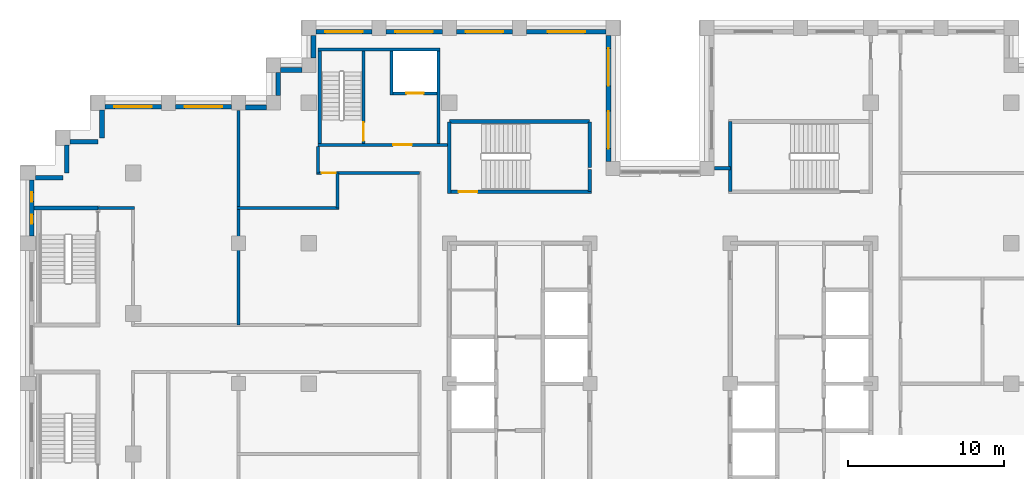
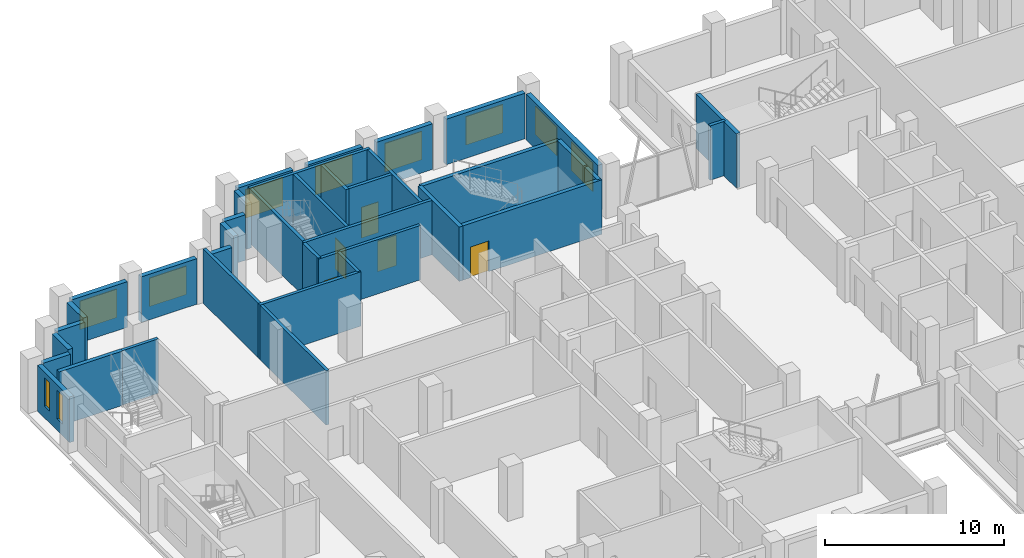
# One storey, part 10 of 15: 37 walls, 10 windows, 5 doors, 15 openings.
"""IFC4 building model written with IfcOpenShell, lengths in metres."""

import ifcopenshell
import ifcopenshell.guid

model = None  # the IFC model being written
_history = None  # IfcOwnerHistory: only IFC2X3 demands one
_inside = {}  # id of a spatial element -> (the spatial element, [elements in it])
_under = {}  # id of a project, library or spatial element -> (it, [spatial elements below it])
_declared = {}  # id of a project -> (the project, [libraries it declares])
_typed = {}  # id of a type object -> (the type object, [elements of that type])
_made_of = {}  # id of a material, layer set ... -> (it, [elements and type objects made of it])


def new_model(schema):
    """Start an empty IFC model of exactly this schema.

    Asked for "IFC4X3", IfcOpenShell would pick the latest addendum, in which some entities
    have other attributes; the version numbers below select the first issue.
    IFC2X3 requires an IfcOwnerHistory on every rooted entity: one is made here for all.
    """
    global model, _history
    if schema == "IFC4X3":
        model = ifcopenshell.file(schema_version=(4, 3, 0, 0))
    else:
        model = ifcopenshell.file(schema=schema)
    _inside.clear()
    _under.clear()
    _declared.clear()
    _typed.clear()
    _made_of.clear()
    _history = None
    if model.schema == "IFC2X3":
        org = make("IfcOrganization", Name="unknown")
        user = make(
            "IfcPersonAndOrganization",
            ThePerson=make("IfcPerson", FamilyName="unknown"),
            TheOrganization=org,
        )
        app = make(
            "IfcApplication",
            ApplicationDeveloper=org,
            Version="unknown",
            ApplicationFullName="unknown",
            ApplicationIdentifier="unknown",
        )
        _history = make(
            "IfcOwnerHistory",
            OwningUser=user,
            OwningApplication=app,
            ChangeAction="ADDED",
            CreationDate=0,
        )
    return model


def make(cls, **values):
    """One entity of the class cls with the attributes given. An attribute that is None is left unset."""
    return model.create_entity(
        cls, **{name: value for name, value in values.items() if value is not None}
    )


def rooted(cls, **values):
    """An entity with a GlobalId (a new one), such as an element, a storey or a relation."""
    return make(cls, GlobalId=ifcopenshell.guid.new(), OwnerHistory=_history, **values)


def si_unit(unit_type, name, prefix=None):
    """IfcSIUnit, for example si_unit("LENGTHUNIT", "METRE", prefix="MILLI")."""
    return make("IfcSIUnit", UnitType=unit_type, Prefix=prefix, Name=name)


def assignment(units):
    """IfcUnitAssignment: the units of a project."""
    return None if units is None else make("IfcUnitAssignment", Units=units)


def point(xyz):
    """IfcCartesianPoint."""
    return None if xyz is None else make("IfcCartesianPoint", Coordinates=xyz)


def direction(xyz):
    """IfcDirection."""
    return None if xyz is None else make("IfcDirection", DirectionRatios=xyz)


def frame(location, z_axis=None, x_axis=None):
    """IfcAxis2Placement3D, a coordinate frame: its origin and axes. An axis left out is left unset."""
    return make(
        "IfcAxis2Placement3D",
        Location=point(location),
        Axis=direction(z_axis),
        RefDirection=direction(x_axis),
    )


def frame_2d(location, x_axis=None):
    """IfcAxis2Placement2D, a coordinate frame in the plane: its origin and x axis."""
    return make(
        "IfcAxis2Placement2D", Location=point(location), RefDirection=direction(x_axis)
    )


def origin():
    """The frame at (0, 0, 0) with its axes left unset."""
    return frame((0.0, 0.0, 0.0))


def place(relative_to, where):
    """IfcLocalPlacement: puts the frame where relative to a parent placement (None: the world)."""
    return make(
        "IfcLocalPlacement", PlacementRelTo=relative_to, RelativePlacement=where
    )


def context(
    kind, dimensions, precision=None, world=None, true_north=None, identifier=None
):
    """IfcGeometricRepresentationContext, for example the 3D "Model" context."""
    return make(
        "IfcGeometricRepresentationContext",
        ContextIdentifier=identifier,
        ContextType=kind,
        CoordinateSpaceDimension=dimensions,
        Precision=precision,
        WorldCoordinateSystem=world,
        TrueNorth=true_north,
    )


def subcontext(parent, identifier, kind, view, scale=None):
    """IfcGeometricRepresentationSubContext, for example "Body" below "Model"."""
    return make(
        "IfcGeometricRepresentationSubContext",
        ContextIdentifier=identifier,
        ContextType=kind,
        ParentContext=parent,
        TargetScale=scale,
        TargetView=view,
    )


def project(units=None, contexts=None):
    """IfcProject with its units and contexts."""
    return rooted(
        "IfcProject",
        Name="project",
        RepresentationContexts=contexts,
        UnitsInContext=assignment(units),
    )


def spatial(cls, under=None, at=None, **own):
    """A site, building, storey or space (cls), placed at a placement, below another one or the project."""
    s = rooted(cls, ObjectPlacement=at, **own)
    if under is not None:
        _under.setdefault(under.id(), (under, []))[1].append(s)
    return s


def profile(cls, at=None, kind="AREA", **sizes):
    """A parametric profile (cls). Its sizes go by their IFC names, for example OverallWidth=200.0."""
    return make(cls, ProfileType=kind, Position=at, **sizes)


def rectangle(**sizes):
    """IfcRectangleProfileDef."""
    return profile("IfcRectangleProfileDef", **sizes)


def extrude(swept, where, along, depth):
    """IfcExtrudedAreaSolid: the profile swept, set in the frame where, extruded along a direction by depth."""
    return make(
        "IfcExtrudedAreaSolid",
        SweptArea=swept,
        Position=where,
        ExtrudedDirection=direction(along),
        Depth=depth,
    )


def shape(context_of_items, identifier, shape_type, items):
    """IfcShapeRepresentation: the items that make up one representation, for example the "Body"."""
    return make(
        "IfcShapeRepresentation",
        ContextOfItems=context_of_items,
        RepresentationIdentifier=identifier,
        RepresentationType=shape_type,
        Items=items,
    )


def material(Name=None, Category=None):
    """IfcMaterial."""
    return make("IfcMaterial", Name=Name, Category=Category)


def layer(
    of_material, thickness, ventilated=None, Name=None, Category=None, Priority=None
):
    """IfcMaterialLayer: one layer of a wall or slab, of a material (None: an air gap)."""
    return make(
        "IfcMaterialLayer",
        Material=of_material,
        LayerThickness=thickness,
        IsVentilated=ventilated,
        Name=Name,
        Category=Category,
        Priority=Priority,
    )


def layer_set(layers, Name=None):
    """IfcMaterialLayerSet."""
    return make("IfcMaterialLayerSet", MaterialLayers=layers, LayerSetName=Name)


def made_of(thing, what):
    """Note that an element or type object is made of a material, layer set ...; save() writes the relation."""
    if what is not None:
        _made_of.setdefault(what.id(), (what, []))[1].append(thing)
    return thing


def type_object(cls, material=None, **own):
    """A type object (cls), such as IfcWallType, which elements share."""
    return made_of(rooted(cls, **own), material)


def element(
    cls,
    number,
    at=None,
    inside=None,
    cuts=None,
    type_object=None,
    material=None,
    context=None,
    identifier="Body",
    shape_type=None,
    held_by="IfcProductDefinitionShape",
    body=None,
    shapes=None,
    **own,
):
    """One element of the class cls, such as IfcWall. Its Tag is "e" and its number.

    at: its placement. inside: the storey or other place that contains it. cuts: it is an
    opening in that element (IfcRelVoidsElement). A single representation is given by context,
    identifier, shape_type and body (its items); several are given by shapes. held_by: the class
    of the entity that holds the representations. save() writes the other relations.
    """
    e = rooted(cls, Tag="e%d" % number, ObjectPlacement=at, **own)
    if body is not None:
        shapes = [shape(context, identifier, shape_type, body)]
    if shapes is not None:
        e.Representation = make(held_by, Representations=shapes)
    if inside is not None:
        _inside.setdefault(inside.id(), (inside, []))[1].append(e)
    if cuts is not None:
        rooted(
            "IfcRelVoidsElement", RelatingBuildingElement=cuts, RelatedOpeningElement=e
        )
    if type_object is not None:
        _typed.setdefault(type_object.id(), (type_object, []))[1].append(e)
    return made_of(e, material)


def fill(opening, filler):
    """IfcRelFillsElement: the door or window that sits in an opening."""
    return rooted(
        "IfcRelFillsElement",
        RelatingOpeningElement=opening,
        RelatedBuildingElement=filler,
    )


def aggregate(whole, parts):
    """IfcRelAggregates: a whole, such as a stair, and the parts it consists of."""
    return rooted("IfcRelAggregates", RelatingObject=whole, RelatedObjects=parts)


def save(model, path):
    """Write the relations noted so far, then the file.

    IfcRelAggregates (storeys below a building ...), IfcRelContainedInSpatialStructure (elements
    in a storey), IfcRelDefinesByType, IfcRelAssociatesMaterial and IfcRelDeclares: one each for
    every whole, place, type object, material and project.
    """
    for whole, parts in _under.values():
        aggregate(whole, parts)
    for where, things in _inside.values():
        rooted(
            "IfcRelContainedInSpatialStructure",
            RelatedElements=things,
            RelatingStructure=where,
        )
    for kind, things in _typed.values():
        rooted("IfcRelDefinesByType", RelatedObjects=things, RelatingType=kind)
    for what, things in _made_of.values():
        rooted("IfcRelAssociatesMaterial", RelatedObjects=things, RelatingMaterial=what)
    for by, libraries in _declared.values():
        rooted("IfcRelDeclares", RelatingContext=by, RelatedDefinitions=libraries)
    model.write(path)


model = new_model("IFC4")

# Units and contexts
model_context = context("Model", 3, precision=1e-05, world=origin(), true_north=direction((0.0, 1.0)))
body_context = subcontext(model_context, "Body", "Model", "MODEL_VIEW")
ifc_project = project(units=[si_unit("LENGTHUNIT", "METRE"), si_unit("AREAUNIT", "SQUARE_METRE"), si_unit("VOLUMEUNIT", "CUBIC_METRE"), si_unit("PLANEANGLEUNIT", "RADIAN"), si_unit("MASSUNIT", "GRAM", prefix="KILO")], contexts=[model_context])

# Site, building, storey
site_placement = place(None, origin())
site = spatial("IfcSite", under=ifc_project, at=site_placement, CompositionType="ELEMENT")
building_placement = place(site_placement, origin())
building = spatial("IfcBuilding", under=site, at=building_placement, Name="Corbelhall Arena Tower", CompositionType="ELEMENT")
storey_placement = place(building_placement, frame((0.0, 0.0, 228.0)))
storey = spatial("IfcBuildingStorey", under=building, at=storey_placement, Name="L48", CompositionType="ELEMENT", Elevation=228.0)

# Walls
ifc_material_1 = material(Name="Precast concrete C40/50 with granite facing", Category="masonry")
ifc_layer_1 = layer(ifc_material_1, 0.300048828125)
ifc_layer_set_1 = layer_set([ifc_layer_1], Name="EV-IW1 Infill panel 300")
wall_type_1 = type_object("IfcWallType", Name="EV-IW1 Infill panel 300", PredefinedType="SOLIDWALL", material=ifc_layer_set_1)
for number, where, z_axis, x_axis, name in (
    (1, (-35.75, 17.550048828125, 0.0), (0.0, 0.0, 1.0), (0.0, -1.0, 0.0), "Infill panel IW1"),
    (2, (-37.800048828125, 15.5, 0.0), (0.0, 0.0, 1.0), (1.0, 0.0, 0.0), "Infill panel IW1"),
    (3, (-38.0, 15.300048828125, 0.0), (0.0, 0.0, 1.0), (0.0, -1.0, 0.0), "Infill panel IW1"),
):
    element("IfcWall", number, at=place(storey_placement, frame(where, z_axis=z_axis, x_axis=x_axis)), inside=storey, type_object=wall_type_1, Name=name, PredefinedType="SOLIDWALL", context=body_context, shape_type="SweptSolid", body=[
        extrude(rectangle(XDim=1.800048828125, YDim=0.300048828125, at=frame_2d((0.89990234375, 0.0))), origin(), (0.0, 0.0, 1.0), 3.1201171875),
    ])
wall_1_placement = place(storey_placement, frame((-40.0, 13.199951171875, 0.0), z_axis=(0.0, 0.0, 1.0), x_axis=(1.0, 0.0, 0.0)))
element("IfcWall", 4, at=wall_1_placement, inside=storey, type_object=wall_type_1, Name="Infill panel IW1", PredefinedType="SOLIDWALL", context=body_context, shape_type="SweptSolid", body=[
    extrude(rectangle(XDim=1.75, YDim=0.300048828125, at=frame_2d((0.875, 0.0))), origin(), (0.0, 0.0, 1.0), 3.1201171875),
])
wall_2_placement = place(storey_placement, frame((-22.949951171875, 20.10009765625, 0.0), z_axis=(0.0, 0.0, 1.0), x_axis=(-1.0, 0.0, 0.0)))
element("IfcWall", 5, at=wall_2_placement, inside=storey, type_object=wall_type_1, Name="Infill panel IW1", PredefinedType="SOLIDWALL", context=body_context, shape_type="SweptSolid", body=[
    extrude(rectangle(XDim=1.35009765625, YDim=0.300048828125, at=frame_2d((0.675048828125, 0.0))), origin(), (0.0, 0.0, 1.0), 3.1201171875),
])
wall_3_placement = place(storey_placement, frame((-24.449951171875, 19.949951171875, 0.0), z_axis=(0.0, 0.0, 1.0), x_axis=(0.0, -1.0, 0.0)))
element("IfcWall", 6, at=wall_3_placement, inside=storey, type_object=wall_type_1, Name="Infill panel IW1", PredefinedType="SOLIDWALL", context=body_context, shape_type="SweptSolid", body=[
    extrude(rectangle(XDim=1.5, YDim=0.300048828125, at=frame_2d((0.75, 0.0))), origin(), (0.0, 0.0, 1.0), 3.1201171875),
])
wall_4_placement = place(storey_placement, frame((-25.199951171875, 17.699951171875, 0.0), z_axis=(0.0, 0.0, 1.0), x_axis=(-1.0, 0.0, 0.0)))
element("IfcWall", 7, at=wall_4_placement, inside=storey, type_object=wall_type_1, Name="Infill panel IW1", PredefinedType="SOLIDWALL", context=body_context, shape_type="SweptSolid", body=[
    extrude(rectangle(XDim=1.35009765625, YDim=0.300048828125, at=frame_2d((0.675048828125, 0.0))), origin(), (0.0, 0.0, 1.0), 3.1201171875),
])

# Wall, opening, window
wall_5_placement = place(storey_placement, frame((-27.449951171875, 17.75, 0.0), z_axis=(0.0, 0.0, 1.0), x_axis=(-1.0, 0.0, 0.0)))
wall_5 = element("IfcWall", 8, at=wall_5_placement, inside=storey, type_object=wall_type_1, Name="Infill panel IW1", PredefinedType="SOLIDWALL", context=body_context, shape_type="SweptSolid", body=[
    extrude(rectangle(XDim=3.60009765625, YDim=0.300048828125, at=frame_2d((1.800048828125, 0.0))), origin(), (0.0, 0.0, 1.0), 3.1201171875),
])
opening_1_placement = place(wall_5_placement, frame((0.60009765625, 0.0, 0.800048828125)))
opening_1 = element("IfcOpeningElement", 9, at=opening_1_placement, cuts=wall_5, Name="Opening WN1", PredefinedType="OPENING", context=body_context, shape_type="SweptSolid", body=[
    extrude(rectangle(XDim=2.39990234375, YDim=1.949951171875, at=frame_2d((1.199951171875, 0.97509765625))), frame((0.0, 0.14990234375, 0.0), z_axis=(0.0, -1.0, 0.0), x_axis=(1.0, 0.0, 0.0)), (0.0, 0.0, 1.0), 0.300048828125),
])
ifc_material_2 = material(Name="Aluminium black anodised", Category="aluminium")
window_type_1 = type_object("IfcWindowType", Name="EV-WN1 Office window", PartitioningType="SINGLE_PANEL", PredefinedType="WINDOW", material=ifc_material_2)
window_1_placement = place(opening_1_placement, origin())
window_1 = element("IfcWindow", 10, at=window_1_placement, inside=storey, type_object=window_type_1, Name="Window WN1", OverallHeight=1.949951171875, OverallWidth=2.39990234375, PartitioningType="SINGLE_PANEL", PredefinedType="WINDOW", context=body_context, shape_type="SweptSolid", body=[
    extrude(rectangle(XDim=2.39990234375, YDim=1.949951171875, at=frame_2d((1.199951171875, 0.97509765625))), frame((0.0, 0.030029296875, 0.0), z_axis=(0.0, -1.0, 0.0), x_axis=(1.0, 0.0, 0.0)), (0.0, 0.0, 1.0), 0.06005859375),
])
fill(opening_1, window_1)

wall_6_placement = place(storey_placement, frame((-31.949951171875, 17.75, 0.0), z_axis=(0.0, 0.0, 1.0), x_axis=(-1.0, 0.0, 0.0)))
wall_6 = element("IfcWall", 11, at=wall_6_placement, inside=storey, type_object=wall_type_1, Name="Infill panel IW1", PredefinedType="SOLIDWALL", context=body_context, shape_type="SweptSolid", body=[
    extrude(rectangle(XDim=3.60009765625, YDim=0.300048828125, at=frame_2d((1.800048828125, 0.0))), origin(), (0.0, 0.0, 1.0), 3.1201171875),
])
opening_2_placement = place(wall_6_placement, frame((0.60009765625, 0.0, 0.800048828125)))
opening_2 = element("IfcOpeningElement", 12, at=opening_2_placement, cuts=wall_6, Name="Opening WN1", PredefinedType="OPENING", context=body_context, shape_type="SweptSolid", body=[
    extrude(rectangle(XDim=2.39990234375, YDim=1.949951171875, at=frame_2d((1.199951171875, 0.97509765625))), frame((0.0, 0.14990234375, 0.0), z_axis=(0.0, -1.0, 0.0), x_axis=(1.0, 0.0, 0.0)), (0.0, 0.0, 1.0), 0.300048828125),
])
window_2_placement = place(opening_2_placement, origin())
window_2 = element("IfcWindow", 13, at=window_2_placement, inside=storey, type_object=window_type_1, Name="Window WN1", OverallHeight=1.949951171875, OverallWidth=2.39990234375, PartitioningType="SINGLE_PANEL", PredefinedType="WINDOW", context=body_context, shape_type="SweptSolid", body=[
    extrude(rectangle(XDim=2.39990234375, YDim=1.949951171875, at=frame_2d((1.199951171875, 0.97509765625))), frame((0.0, 0.030029296875, 0.0), z_axis=(0.0, -1.0, 0.0), x_axis=(1.0, 0.0, 0.0)), (0.0, 0.0, 1.0), 0.06005859375),
])
fill(opening_2, window_2)

# Wall, openings, windows
wall_7_placement = place(storey_placement, frame((-40.25, 13.050048828125, 0.0), z_axis=(0.0, 0.0, 1.0), x_axis=(0.0, -1.0, 0.0)))
wall_7 = element("IfcWall", 14, at=wall_7_placement, inside=storey, type_object=wall_type_1, Name="Infill panel IW1", PredefinedType="SOLIDWALL", context=body_context, shape_type="SweptSolid", body=[
    extrude(rectangle(XDim=3.60009765625, YDim=0.300048828125, at=frame_2d((1.800048828125, 0.0))), origin(), (0.0, 0.0, 1.0), 3.1201171875),
])
opening_3_placement = place(wall_7_placement, frame((0.78759765625, 0.0, 0.800048828125)))
opening_3 = element("IfcOpeningElement", 15, at=opening_3_placement, cuts=wall_7, Name="Opening WN5", PredefinedType="OPENING", context=body_context, shape_type="SweptSolid", body=[
    extrude(rectangle(XDim=0.60009765625, YDim=1.949951171875, at=frame_2d((0.300048828125, 0.97509765625))), frame((0.0, 0.14990234375, 0.0), z_axis=(0.0, -1.0, 0.0), x_axis=(1.0, 0.0, 0.0)), (0.0, 0.0, 1.0), 0.300048828125),
])
opening_4_placement = place(wall_7_placement, frame((2.21240234375, 0.0, 0.800048828125)))
opening_4 = element("IfcOpeningElement", 16, at=opening_4_placement, cuts=wall_7, Name="Opening WN5", PredefinedType="OPENING", context=body_context, shape_type="SweptSolid", body=[
    extrude(rectangle(XDim=0.60009765625, YDim=1.949951171875, at=frame_2d((0.300048828125, 0.97509765625))), frame((0.0, 0.14990234375, 0.0), z_axis=(0.0, -1.0, 0.0), x_axis=(1.0, 0.0, 0.0)), (0.0, 0.0, 1.0), 0.300048828125),
])
window_type_2 = type_object("IfcWindowType", Name="EV-WN5 Office window 600", PartitioningType="SINGLE_PANEL", PredefinedType="WINDOW", material=ifc_material_2)
window_3_placement = place(opening_3_placement, origin())
window_3 = element("IfcWindow", 17, at=window_3_placement, inside=storey, type_object=window_type_2, Name="Window WN5", OverallHeight=1.949951171875, OverallWidth=0.60009765625, PartitioningType="SINGLE_PANEL", PredefinedType="WINDOW", context=body_context, shape_type="SweptSolid", body=[
    extrude(rectangle(XDim=0.60009765625, YDim=1.949951171875, at=frame_2d((0.300048828125, 0.97509765625))), frame((0.0, 0.030029296875, 0.0), z_axis=(0.0, -1.0, 0.0), x_axis=(1.0, 0.0, 0.0)), (0.0, 0.0, 1.0), 0.06005859375),
])
fill(opening_3, window_3)
window_4_placement = place(opening_4_placement, origin())
window_4 = element("IfcWindow", 18, at=window_4_placement, inside=storey, type_object=window_type_2, Name="Window WN5", OverallHeight=1.949951171875, OverallWidth=0.60009765625, PartitioningType="SINGLE_PANEL", PredefinedType="WINDOW", context=body_context, shape_type="SweptSolid", body=[
    extrude(rectangle(XDim=0.60009765625, YDim=1.949951171875, at=frame_2d((0.300048828125, 0.97509765625))), frame((0.0, 0.030029296875, 0.0), z_axis=(0.0, -1.0, 0.0), x_axis=(1.0, 0.0, 0.0)), (0.0, 0.0, 1.0), 0.06005859375),
])
fill(opening_4, window_4)

wall_8_placement = place(storey_placement, frame((-3.300048828125, 14.25, 0.0), z_axis=(0.0, 0.0, 1.0), x_axis=(0.0, 1.0, 0.0)))
wall_8 = element("IfcWall", 19, at=wall_8_placement, inside=storey, type_object=wall_type_1, Name="Infill panel IW1", PredefinedType="SOLIDWALL", context=body_context, shape_type="SweptSolid", body=[
    extrude(rectangle(XDim=8.050048828125, YDim=0.300048828125, at=frame_2d((4.02490234375, 0.0))), origin(), (0.0, 0.0, 1.0), 3.1201171875),
])
opening_5_placement = place(wall_8_placement, frame((0.8125, 0.0, 0.800048828125)))
opening_5 = element("IfcOpeningElement", 20, at=opening_5_placement, cuts=wall_8, Name="Opening WN1", PredefinedType="OPENING", context=body_context, shape_type="SweptSolid", body=[
    extrude(rectangle(XDim=2.39990234375, YDim=1.949951171875, at=frame_2d((1.199951171875, 0.97509765625))), frame((0.0, 0.14990234375, 0.0), z_axis=(0.0, -1.0, 0.0), x_axis=(1.0, 0.0, 0.0)), (0.0, 0.0, 1.0), 0.300048828125),
])
opening_6_placement = place(wall_8_placement, frame((4.83740234375, 0.0, 0.800048828125)))
opening_6 = element("IfcOpeningElement", 21, at=opening_6_placement, cuts=wall_8, Name="Opening WN1", PredefinedType="OPENING", context=body_context, shape_type="SweptSolid", body=[
    extrude(rectangle(XDim=2.39990234375, YDim=1.949951171875, at=frame_2d((1.199951171875, 0.97509765625))), frame((0.0, 0.14990234375, 0.0), z_axis=(0.0, -1.0, 0.0), x_axis=(1.0, 0.0, 0.0)), (0.0, 0.0, 1.0), 0.300048828125),
])
window_5_placement = place(opening_5_placement, origin())
window_5 = element("IfcWindow", 22, at=window_5_placement, inside=storey, type_object=window_type_1, Name="Window WN1", OverallHeight=1.949951171875, OverallWidth=2.39990234375, PartitioningType="SINGLE_PANEL", PredefinedType="WINDOW", context=body_context, shape_type="SweptSolid", body=[
    extrude(rectangle(XDim=2.39990234375, YDim=1.949951171875, at=frame_2d((1.199951171875, 0.97509765625))), frame((0.0, 0.030029296875, 0.0), z_axis=(0.0, -1.0, 0.0), x_axis=(1.0, 0.0, 0.0)), (0.0, 0.0, 1.0), 0.06005859375),
])
fill(opening_5, window_5)
window_6_placement = place(opening_6_placement, origin())
window_6 = element("IfcWindow", 23, at=window_6_placement, inside=storey, type_object=window_type_1, Name="Window WN1", OverallHeight=1.949951171875, OverallWidth=2.39990234375, PartitioningType="SINGLE_PANEL", PredefinedType="WINDOW", context=body_context, shape_type="SweptSolid", body=[
    extrude(rectangle(XDim=2.39990234375, YDim=1.949951171875, at=frame_2d((1.199951171875, 0.97509765625))), frame((0.0, 0.030029296875, 0.0), z_axis=(0.0, -1.0, 0.0), x_axis=(1.0, 0.0, 0.0)), (0.0, 0.0, 1.0), 0.06005859375),
])
fill(opening_6, window_6)

# Wall, opening, window
wall_9_placement = place(storey_placement, frame((-3.449951171875, 22.550048828125, 0.0), z_axis=(0.0, 0.0, 1.0), x_axis=(-1.0, 0.0, 0.0)))
wall_9 = element("IfcWall", 24, at=wall_9_placement, inside=storey, type_object=wall_type_1, Name="Infill panel IW1", PredefinedType="SOLIDWALL", context=body_context, shape_type="SweptSolid", body=[
    extrude(rectangle(XDim=5.10009765625, YDim=0.300048828125, at=frame_2d((2.550048828125, 0.0))), origin(), (0.0, 0.0, 1.0), 3.1201171875),
])
opening_7_placement = place(wall_9_placement, frame((1.35009765625, 0.0, 0.800048828125)))
opening_7 = element("IfcOpeningElement", 25, at=opening_7_placement, cuts=wall_9, Name="Opening WN1", PredefinedType="OPENING", context=body_context, shape_type="SweptSolid", body=[
    extrude(rectangle(XDim=2.39990234375, YDim=1.949951171875, at=frame_2d((1.199951171875, 0.97509765625))), frame((0.0, 0.14990234375, 0.0), z_axis=(0.0, -1.0, 0.0), x_axis=(1.0, 0.0, 0.0)), (0.0, 0.0, 1.0), 0.300048828125),
])
window_7_placement = place(opening_7_placement, origin())
window_7 = element("IfcWindow", 26, at=window_7_placement, inside=storey, type_object=window_type_1, Name="Window WN1", OverallHeight=1.949951171875, OverallWidth=2.39990234375, PartitioningType="SINGLE_PANEL", PredefinedType="WINDOW", context=body_context, shape_type="SweptSolid", body=[
    extrude(rectangle(XDim=2.39990234375, YDim=1.949951171875, at=frame_2d((1.199951171875, 0.97509765625))), frame((0.0, 0.030029296875, 0.0), z_axis=(0.0, -1.0, 0.0), x_axis=(1.0, 0.0, 0.0)), (0.0, 0.0, 1.0), 0.06005859375),
])
fill(opening_7, window_7)

wall_10_placement = place(storey_placement, frame((-9.449951171875, 22.550048828125, 0.0), z_axis=(0.0, 0.0, 1.0), x_axis=(-1.0, 0.0, 0.0)))
wall_10 = element("IfcWall", 27, at=wall_10_placement, inside=storey, type_object=wall_type_1, Name="Infill panel IW1", PredefinedType="SOLIDWALL", context=body_context, shape_type="SweptSolid", body=[
    extrude(rectangle(XDim=3.60009765625, YDim=0.300048828125, at=frame_2d((1.800048828125, 0.0))), origin(), (0.0, 0.0, 1.0), 3.1201171875),
])
opening_8_placement = place(wall_10_placement, frame((0.60009765625, 0.0, 0.800048828125)))
opening_8 = element("IfcOpeningElement", 28, at=opening_8_placement, cuts=wall_10, Name="Opening WN1", PredefinedType="OPENING", context=body_context, shape_type="SweptSolid", body=[
    extrude(rectangle(XDim=2.39990234375, YDim=1.949951171875, at=frame_2d((1.199951171875, 0.97509765625))), frame((0.0, 0.14990234375, 0.0), z_axis=(0.0, -1.0, 0.0), x_axis=(1.0, 0.0, 0.0)), (0.0, 0.0, 1.0), 0.300048828125),
])
window_8_placement = place(opening_8_placement, origin())
window_8 = element("IfcWindow", 29, at=window_8_placement, inside=storey, type_object=window_type_1, Name="Window WN1", OverallHeight=1.949951171875, OverallWidth=2.39990234375, PartitioningType="SINGLE_PANEL", PredefinedType="WINDOW", context=body_context, shape_type="SweptSolid", body=[
    extrude(rectangle(XDim=2.39990234375, YDim=1.949951171875, at=frame_2d((1.199951171875, 0.97509765625))), frame((0.0, 0.030029296875, 0.0), z_axis=(0.0, -1.0, 0.0), x_axis=(1.0, 0.0, 0.0)), (0.0, 0.0, 1.0), 0.06005859375),
])
fill(opening_8, window_8)

wall_11_placement = place(storey_placement, frame((-13.949951171875, 22.550048828125, 0.0), z_axis=(0.0, 0.0, 1.0), x_axis=(-1.0, 0.0, 0.0)))
wall_11 = element("IfcWall", 30, at=wall_11_placement, inside=storey, type_object=wall_type_1, Name="Infill panel IW1", PredefinedType="SOLIDWALL", context=body_context, shape_type="SweptSolid", body=[
    extrude(rectangle(XDim=3.60009765625, YDim=0.300048828125, at=frame_2d((1.800048828125, 0.0))), origin(), (0.0, 0.0, 1.0), 3.1201171875),
])
opening_9_placement = place(wall_11_placement, frame((0.60009765625, 0.0, 0.800048828125)))
opening_9 = element("IfcOpeningElement", 31, at=opening_9_placement, cuts=wall_11, Name="Opening WN1", PredefinedType="OPENING", context=body_context, shape_type="SweptSolid", body=[
    extrude(rectangle(XDim=2.39990234375, YDim=1.949951171875, at=frame_2d((1.199951171875, 0.97509765625))), frame((0.0, 0.14990234375, 0.0), z_axis=(0.0, -1.0, 0.0), x_axis=(1.0, 0.0, 0.0)), (0.0, 0.0, 1.0), 0.300048828125),
])
window_9_placement = place(opening_9_placement, origin())
window_9 = element("IfcWindow", 32, at=window_9_placement, inside=storey, type_object=window_type_1, Name="Window WN1", OverallHeight=1.949951171875, OverallWidth=2.39990234375, PartitioningType="SINGLE_PANEL", PredefinedType="WINDOW", context=body_context, shape_type="SweptSolid", body=[
    extrude(rectangle(XDim=2.39990234375, YDim=1.949951171875, at=frame_2d((1.199951171875, 0.97509765625))), frame((0.0, 0.030029296875, 0.0), z_axis=(0.0, -1.0, 0.0), x_axis=(1.0, 0.0, 0.0)), (0.0, 0.0, 1.0), 0.06005859375),
])
fill(opening_9, window_9)

wall_12_placement = place(storey_placement, frame((-18.449951171875, 22.550048828125, 0.0), z_axis=(0.0, 0.0, 1.0), x_axis=(-1.0, 0.0, 0.0)))
wall_12 = element("IfcWall", 33, at=wall_12_placement, inside=storey, type_object=wall_type_1, Name="Infill panel IW1", PredefinedType="SOLIDWALL", context=body_context, shape_type="SweptSolid", body=[
    extrude(rectangle(XDim=3.60009765625, YDim=0.300048828125, at=frame_2d((1.800048828125, 0.0))), origin(), (0.0, 0.0, 1.0), 3.1201171875),
])
opening_10_placement = place(wall_12_placement, frame((0.60009765625, 0.0, 0.800048828125)))
opening_10 = element("IfcOpeningElement", 34, at=opening_10_placement, cuts=wall_12, Name="Opening WN1", PredefinedType="OPENING", context=body_context, shape_type="SweptSolid", body=[
    extrude(rectangle(XDim=2.39990234375, YDim=1.949951171875, at=frame_2d((1.199951171875, 0.97509765625))), frame((0.0, 0.14990234375, 0.0), z_axis=(0.0, -1.0, 0.0), x_axis=(1.0, 0.0, 0.0)), (0.0, 0.0, 1.0), 0.300048828125),
])
window_10_placement = place(opening_10_placement, origin())
window_10 = element("IfcWindow", 35, at=window_10_placement, inside=storey, type_object=window_type_1, Name="Window WN1", OverallHeight=1.949951171875, OverallWidth=2.39990234375, PartitioningType="SINGLE_PANEL", PredefinedType="WINDOW", context=body_context, shape_type="SweptSolid", body=[
    extrude(rectangle(XDim=2.39990234375, YDim=1.949951171875, at=frame_2d((1.199951171875, 0.97509765625))), frame((0.0, 0.030029296875, 0.0), z_axis=(0.0, -1.0, 0.0), x_axis=(1.0, 0.0, 0.0)), (0.0, 0.0, 1.0), 0.06005859375),
])
fill(opening_10, window_10)

# Walls
wall_13_placement = place(storey_placement, frame((-22.199951171875, 22.300048828125, 0.0), z_axis=(0.0, 0.0, 1.0), x_axis=(0.0, -1.0, 0.0)))
element("IfcWall", 36, at=wall_13_placement, inside=storey, type_object=wall_type_1, Name="Infill panel IW1", PredefinedType="SOLIDWALL", context=body_context, shape_type="SweptSolid", body=[
    extrude(rectangle(XDim=1.449951171875, YDim=0.300048828125, at=frame_2d((0.72509765625, 0.0))), origin(), (0.0, 0.0, 1.0), 3.1201171875),
])
ifc_material_3 = material(Name="Gypsum board on steel stud, acoustic", Category="steel")
ifc_layer_2 = layer(ifc_material_3, 0.199951171875)
ifc_layer_set_2 = layer_set([ifc_layer_2], Name="IN-W-DM200")
wall_type_2 = type_object("IfcWallType", Name="IN-W-DM200", PredefinedType="PARTITIONING", material=ifc_layer_set_2)
wall_14_placement = place(storey_placement, frame((-36.0, 11.25, 0.0), z_axis=(0.0, 0.0, 1.0), x_axis=(1.0, 0.0, 0.0)))
element("IfcWall", 37, at=wall_14_placement, inside=storey, type_object=wall_type_2, Name="Partition 001", PredefinedType="PARTITIONING", context=body_context, shape_type="SweptSolid", body=[
    extrude(rectangle(XDim=2.35009765625, YDim=0.199951171875, at=frame_2d((1.175048828125, 0.0))), origin(), (0.0, 0.0, 1.0), 3.719970703125),
])
wall_15_placement = place(storey_placement, frame((-27.10009765625, 11.25, 0.0), z_axis=(0.0, 0.0, 1.0), x_axis=(1.0, 0.0, 0.0)))
element("IfcWall", 38, at=wall_15_placement, inside=storey, type_object=wall_type_2, Name="Partition 009", PredefinedType="PARTITIONING", context=body_context, shape_type="SweptSolid", body=[
    extrude(rectangle(XDim=6.550048828125, YDim=0.199951171875, at=frame_2d((3.27490234375, 0.0))), origin(), (0.0, 0.0, 1.0), 3.719970703125),
])
wall_16_placement = place(storey_placement, frame((-27.0, 3.75, 0.0), z_axis=(0.0, 0.0, 1.0), x_axis=(0.0, 1.0, 0.0)))
element("IfcWall", 39, at=wall_16_placement, inside=storey, type_object=wall_type_2, Name="Partition 011", PredefinedType="PARTITIONING", context=body_context, shape_type="SweptSolid", body=[
    extrude(rectangle(XDim=13.75, YDim=0.199951171875, at=frame_2d((6.875, 0.0))), origin(), (0.0, 0.0, 1.0), 3.719970703125),
])
wall_17_placement = place(storey_placement, frame((-21.89990234375, 13.5, 0.0), z_axis=(0.0, 0.0, 1.0), x_axis=(0.0, 1.0, 0.0)))
element("IfcWall", 40, at=wall_17_placement, inside=storey, type_object=wall_type_2, Name="Partition 013", PredefinedType="PARTITIONING", context=body_context, shape_type="SweptSolid", body=[
    extrude(rectangle(XDim=1.699951171875, YDim=0.199951171875, at=frame_2d((0.85009765625, 0.0))), origin(), (0.0, 0.0, 1.0), 3.719970703125),
])
wall_18_placement = place(storey_placement, frame((-20.64990234375, 11.25, 0.0), z_axis=(0.0, 0.0, 1.0), x_axis=(0.0, 1.0, 0.0)))
element("IfcWall", 41, at=wall_18_placement, inside=storey, type_object=wall_type_2, Name="Partition 016", PredefinedType="PARTITIONING", context=body_context, shape_type="SweptSolid", body=[
    extrude(rectangle(XDim=2.25, YDim=0.199951171875, at=frame_2d((1.125, 0.0))), origin(), (0.0, 0.0, 1.0), 3.719970703125),
])

# Wall, opening, door
wall_19_placement = place(storey_placement, frame((-15.39990234375, 13.5, 0.0), z_axis=(0.0, 0.0, 1.0), x_axis=(-1.0, 0.0, 0.0)))
wall_19 = element("IfcWall", 42, at=wall_19_placement, inside=storey, type_object=wall_type_2, Name="Partition 017", PredefinedType="PARTITIONING", context=body_context, shape_type="SweptSolid", body=[
    extrude(rectangle(XDim=6.60009765625, YDim=0.199951171875, at=frame_2d((3.300048828125, 0.0))), origin(), (0.0, 0.0, 1.0), 3.719970703125),
])
opening_11_placement = place(wall_19_placement, frame((5.3701171875, 0.0, 0.0)))
opening_11 = element("IfcOpeningElement", 43, at=opening_11_placement, cuts=wall_19, Name="Opening 15040", PredefinedType="OPENING", context=body_context, shape_type="SweptSolid", body=[
    extrude(rectangle(XDim=0.89990234375, YDim=2.10009765625, at=frame_2d((0.449951171875, 1.050048828125))), frame((0.0, 0.10009765625, 0.0), z_axis=(0.0, -1.0, 0.0), x_axis=(1.0, 0.0, 0.0)), (0.0, 0.0, 1.0), 0.199951171875),
])
ifc_material_4 = material(Name="Timber door set", Category="wood")
door_type_1 = type_object("IfcDoorType", Name="IN-D-SW90", OperationType="NOTDEFINED", PredefinedType="DOOR", material=ifc_material_4)
door_1_placement = place(opening_11_placement, origin())
door_1 = element("IfcDoor", 44, at=door_1_placement, inside=storey, type_object=door_type_1, Name="Door 040", OperationType="SINGLE_SWING_LEFT", OverallHeight=2.10009765625, OverallWidth=0.89990234375, PredefinedType="DOOR", context=body_context, shape_type="SweptSolid", body=[
    extrude(rectangle(XDim=0.89990234375, YDim=2.10009765625, at=frame_2d((0.449951171875, 1.050048828125))), frame((0.0, 0.02490234375, 0.0), z_axis=(0.0, -1.0, 0.0), x_axis=(1.0, 0.0, 0.0)), (0.0, 0.0, 1.0), 0.050048828125),
])
fill(opening_11, door_1)

# Wall
wall_20_placement = place(storey_placement, frame((3.50048828125, 13.800048828125, 0.0), z_axis=(0.0, 0.0, 1.0), x_axis=(1.0, 0.0, 0.0)))
element("IfcWall", 45, at=wall_20_placement, inside=storey, type_object=wall_type_2, Name="Partition 022", PredefinedType="PARTITIONING", context=body_context, shape_type="SweptSolid", body=[
    extrude(rectangle(XDim=0.9990234375, YDim=0.199951171875, at=frame_2d((0.49951171875, 0.0))), origin(), (0.0, 0.0, 1.0), 3.719970703125),
])

# Wall, opening, door
ifc_material_5 = material(Name="Concrete C40/50", Category="concrete")
ifc_layer_3 = layer(ifc_material_5, 0.199951171875)
ifc_layer_set_3 = layer_set([ifc_layer_3], Name="IN-W-EAR200")
wall_type_3 = type_object("IfcWallType", Name="IN-W-EAR200", PredefinedType="SOLIDWALL", material=ifc_layer_set_3)
wall_21_placement = place(storey_placement, frame((-21.89990234375, 15.300048828125, 0.0), z_axis=(0.0, 0.0, 1.0), x_axis=(1.0, 0.0, 0.0)))
wall_21 = element("IfcWall", 46, at=wall_21_placement, inside=storey, type_object=wall_type_3, Name="Fire service turret wall south", PredefinedType="SOLIDWALL", context=body_context, shape_type="SweptSolid", body=[
    extrude(rectangle(XDim=8.27490234375, YDim=0.199951171875, at=frame_2d((4.137451171875, 0.0))), origin(), (0.0, 0.0, 1.0), 3.719970703125),
])
opening_12_placement = place(wall_21_placement, frame((4.800048828125, 0.0, 0.0)))
opening_12 = element("IfcOpeningElement", 47, at=opening_12_placement, cuts=wall_21, Name="Opening E152", PredefinedType="OPENING", context=body_context, shape_type="SweptSolid", body=[
    extrude(rectangle(XDim=1.199951171875, YDim=2.10009765625, at=frame_2d((0.60009765625, 1.050048828125))), frame((0.0, 0.10009765625, 0.0), z_axis=(0.0, -1.0, 0.0), x_axis=(1.0, 0.0, 0.0)), (0.0, 0.0, 1.0), 0.199951171875),
])
ifc_material_6 = material(Name="Steel door set", Category="steel")
door_type_2 = type_object("IfcDoorType", Name="IN-D-ST120", OperationType="NOTDEFINED", PredefinedType="DOOR", material=ifc_material_6)
door_2_placement = place(opening_12_placement, origin())
door_2 = element("IfcDoor", 48, at=door_2_placement, inside=storey, type_object=door_type_2, Name="Door from fire service lift lobby to circulation", OperationType="SINGLE_SWING_RIGHT", OverallHeight=2.10009765625, OverallWidth=1.199951171875, PredefinedType="DOOR", context=body_context, shape_type="SweptSolid", body=[
    extrude(rectangle(XDim=1.199951171875, YDim=2.10009765625, at=frame_2d((0.60009765625, 1.050048828125))), frame((0.0, 0.02490234375, 0.0), z_axis=(0.0, -1.0, 0.0), x_axis=(1.0, 0.0, 0.0)), (0.0, 0.0, 1.0), 0.050048828125),
])
fill(opening_12, door_2)

# Walls
wall_22_placement = place(storey_placement, frame((-21.89990234375, 21.39990234375, 0.0), z_axis=(0.0, 0.0, 1.0), x_axis=(1.0, 0.0, 0.0)))
element("IfcWall", 49, at=wall_22_placement, inside=storey, type_object=wall_type_3, Name="Fire service turret wall north", PredefinedType="SOLIDWALL", context=body_context, shape_type="SweptSolid", body=[
    extrude(rectangle(XDim=7.7998046875, YDim=0.199951171875, at=frame_2d((3.89990234375, 0.0))), origin(), (0.0, 0.0, 1.0), 3.719970703125),
])
for number, where, z_axis, x_axis, name in (
    (50, (-21.800048828125, 15.39990234375, 0.0), (0.0, 0.0, 1.0), (0.0, 1.0, 0.0), "Fire service turret wall west"),
    (51, (-14.199951171875, 15.39990234375, 0.0), (0.0, 0.0, 1.0), (0.0, 1.0, 0.0), "Fire service turret wall east"),
):
    element("IfcWall", number, at=place(storey_placement, frame(where, z_axis=z_axis, x_axis=x_axis)), inside=storey, type_object=wall_type_3, Name=name, PredefinedType="SOLIDWALL", context=body_context, shape_type="SweptSolid", body=[
        extrude(rectangle(XDim=5.900146484375, YDim=0.199951171875, at=frame_2d((2.9501953125, 0.0))), origin(), (0.0, 0.0, 1.0), 3.719970703125),
    ])

# Wall, opening, door
wall_23_placement = place(storey_placement, frame((-18.989990234375, 15.39990234375, 0.0), z_axis=(0.0, 0.0, 1.0), x_axis=(0.0, 1.0, 0.0)))
wall_23 = element("IfcWall", 52, at=wall_23_placement, inside=storey, type_object=wall_type_3, Name="Fire service turret wall stair", PredefinedType="SOLIDWALL", context=body_context, shape_type="SweptSolid", body=[
    extrude(rectangle(XDim=5.900146484375, YDim=0.199951171875, at=frame_2d((2.9501953125, 0.0))), origin(), (0.0, 0.0, 1.0), 3.719970703125),
])
opening_13_placement = place(wall_23_placement, frame((0.14990234375, 0.0, 0.0)))
opening_13 = element("IfcOpeningElement", 53, at=opening_13_placement, cuts=wall_23, Name="Opening E151", PredefinedType="OPENING", context=body_context, shape_type="SweptSolid", body=[
    extrude(rectangle(XDim=1.199951171875, YDim=2.10009765625, at=frame_2d((0.60009765625, 1.050048828125))), frame((0.0, 0.10009765625, 0.0), z_axis=(0.0, -1.0, 0.0), x_axis=(1.0, 0.0, 0.0)), (0.0, 0.0, 1.0), 0.199951171875),
])
door_3_placement = place(opening_13_placement, origin())
door_3 = element("IfcDoor", 54, at=door_3_placement, inside=storey, type_object=door_type_2, Name="Stair door to fire service lobby", OperationType="SINGLE_SWING_LEFT", OverallHeight=2.10009765625, OverallWidth=1.199951171875, PredefinedType="DOOR", context=body_context, shape_type="SweptSolid", body=[
    extrude(rectangle(XDim=1.199951171875, YDim=2.10009765625, at=frame_2d((0.60009765625, 1.050048828125))), frame((0.0, 0.02490234375, 0.0), z_axis=(0.0, -1.0, 0.0), x_axis=(1.0, 0.0, 0.0)), (0.0, 0.0, 1.0), 0.050048828125),
])
fill(opening_13, door_3)

# Wall
wall_24_placement = place(storey_placement, frame((-17.199951171875, 18.5, 0.0), z_axis=(0.0, 0.0, 1.0), x_axis=(0.0, 1.0, 0.0)))
element("IfcWall", 55, at=wall_24_placement, inside=storey, type_object=wall_type_3, Name="Fire service turret wall hoistway west", PredefinedType="SOLIDWALL", context=body_context, shape_type="SweptSolid", body=[
    extrude(rectangle(XDim=2.800048828125, YDim=0.199951171875, at=frame_2d((1.39990234375, 0.0))), origin(), (0.0, 0.0, 1.0), 3.719970703125),
])

# Wall, opening, door
wall_25_placement = place(storey_placement, frame((-17.10009765625, 18.60009765625, 0.0), z_axis=(0.0, 0.0, 1.0), x_axis=(1.0, 0.0, 0.0)))
wall_25 = element("IfcWall", 56, at=wall_25_placement, inside=storey, type_object=wall_type_3, Name="Fire service turret wall hoistway south", PredefinedType="SOLIDWALL", context=body_context, shape_type="SweptSolid", body=[
    extrude(rectangle(XDim=2.800048828125, YDim=0.199951171875, at=frame_2d((1.39990234375, 0.0))), origin(), (0.0, 0.0, 1.0), 3.719970703125),
])
opening_14_placement = place(wall_25_placement, frame((0.85009765625, 0.0, 0.0)))
opening_14 = element("IfcOpeningElement", 57, at=opening_14_placement, cuts=wall_25, Name="Opening LD", PredefinedType="OPENING", context=body_context, shape_type="SweptSolid", body=[
    extrude(rectangle(XDim=1.10009765625, YDim=2.10009765625, at=frame_2d((0.550048828125, 1.050048828125))), frame((0.0, 0.10009765625, 0.0), z_axis=(0.0, -1.0, 0.0), x_axis=(1.0, 0.0, 0.0)), (0.0, 0.0, 1.0), 0.199951171875),
])
door_type_3 = type_object("IfcDoorType", Name="IN-D-LD110", OperationType="NOTDEFINED", PredefinedType="DOOR", material=ifc_material_6)
door_4_placement = place(opening_14_placement, origin())
door_4 = element("IfcDoor", 58, at=door_4_placement, inside=storey, type_object=door_type_3, Name="Landing door FS1", OperationType="SLIDING_TO_LEFT", OverallHeight=2.10009765625, OverallWidth=1.10009765625, PredefinedType="DOOR", context=body_context, shape_type="SweptSolid", body=[
    extrude(rectangle(XDim=1.10009765625, YDim=2.10009765625, at=frame_2d((0.550048828125, 1.050048828125))), frame((0.0, 0.02490234375, 0.0), z_axis=(0.0, -1.0, 0.0), x_axis=(1.0, 0.0, 0.0)), (0.0, 0.0, 1.0), 0.050048828125),
])
fill(opening_14, door_4)

# Wall
ifc_layer_4 = layer(ifc_material_5, 0.25)
ifc_layer_set_4 = layer_set([ifc_layer_4], Name="IN-W-ST250")
wall_type_4 = type_object("IfcWallType", Name="IN-W-ST250", PredefinedType="SOLIDWALL", material=ifc_layer_set_4)
wall_26_placement = place(storey_placement, frame((-40.10009765625, 11.25, 0.0), z_axis=(0.0, 0.0, 1.0), x_axis=(1.0, 0.0, 0.0)))
element("IfcWall", 59, at=wall_26_placement, inside=storey, type_object=wall_type_4, Name="Shaft wall 074", PredefinedType="SOLIDWALL", context=body_context, shape_type="SweptSolid", body=[
    extrude(rectangle(XDim=4.10009765625, YDim=0.25, at=frame_2d((2.050048828125, 0.0))), origin(), (0.0, 0.0, 1.0), 3.719970703125),
])

# Wall, opening, door
wall_27_placement = place(storey_placement, frame((-13.5, 12.300048828125, 0.0), z_axis=(0.0, 0.0, 1.0), x_axis=(1.0, 0.0, 0.0)))
wall_27 = element("IfcWall", 60, at=wall_27_placement, inside=storey, type_object=wall_type_4, Name="Shaft wall 080", PredefinedType="SOLIDWALL", context=body_context, shape_type="SweptSolid", body=[
    extrude(rectangle(XDim=9.125, YDim=0.25, at=frame_2d((4.5625, 0.0))), origin(), (0.0, 0.0, 1.0), 3.719970703125),
])
opening_15_placement = place(wall_27_placement, frame((0.60009765625, 0.0, 0.0)))
opening_15 = element("IfcOpeningElement", 61, at=opening_15_placement, cuts=wall_27, Name="Opening 15015", PredefinedType="OPENING", context=body_context, shape_type="SweptSolid", body=[
    extrude(rectangle(XDim=1.199951171875, YDim=2.10009765625, at=frame_2d((0.60009765625, 1.050048828125))), frame((0.0, 0.125, 0.0), z_axis=(0.0, -1.0, 0.0), x_axis=(1.0, 0.0, 0.0)), (0.0, 0.0, 1.0), 0.25),
])
door_5_placement = place(opening_15_placement, origin())
door_5 = element("IfcDoor", 62, at=door_5_placement, inside=storey, type_object=door_type_2, Name="Door 015", OperationType="SINGLE_SWING_RIGHT", OverallHeight=2.10009765625, OverallWidth=1.199951171875, PredefinedType="DOOR", context=body_context, shape_type="SweptSolid", body=[
    extrude(rectangle(XDim=1.199951171875, YDim=2.10009765625, at=frame_2d((0.60009765625, 1.050048828125))), frame((0.0, 0.02490234375, 0.0), z_axis=(0.0, -1.0, 0.0), x_axis=(1.0, 0.0, 0.0)), (0.0, 0.0, 1.0), 0.050048828125),
])
fill(opening_15, door_5)

# Walls
wall_28_placement = place(storey_placement, frame((-13.5, 16.780029296875, 0.0), z_axis=(0.0, 0.0, 1.0), x_axis=(0.0, -1.0, 0.0)))
element("IfcWall", 63, at=wall_28_placement, inside=storey, type_object=wall_type_4, Name="Shaft wall 081", PredefinedType="SOLIDWALL", context=body_context, shape_type="SweptSolid", body=[
    extrude(rectangle(XDim=4.60498046875, YDim=0.25, at=frame_2d((2.302490234375, 0.0))), origin(), (0.0, 0.0, 1.0), 3.719970703125),
])
wall_29_placement = place(storey_placement, frame((-13.47998046875, 16.800048828125, 0.0), z_axis=(0.0, 0.0, 1.0), x_axis=(1.0, 0.0, 0.0)))
element("IfcWall", 64, at=wall_29_placement, inside=storey, type_object=wall_type_4, Name="Shaft wall 082", PredefinedType="SOLIDWALL", context=body_context, shape_type="SweptSolid", body=[
    extrude(rectangle(XDim=8.9599609375, YDim=0.25, at=frame_2d((4.47998046875, 0.0))), origin(), (0.0, 0.0, 1.0), 3.719970703125),
])
wall_30_placement = place(storey_placement, frame((-4.5, 13.73291015625, 0.0), z_axis=(0.0, 0.0, 1.0), x_axis=(0.0, -1.0, 0.0)))
element("IfcWall", 65, at=wall_30_placement, inside=storey, type_object=wall_type_4, Name="Shaft wall 085", PredefinedType="SOLIDWALL", context=body_context, shape_type="SweptSolid", body=[
    extrude(rectangle(XDim=1.432861328125, YDim=0.25, at=frame_2d((0.71630859375, 0.0))), origin(), (0.0, 0.0, 1.0), 3.719970703125),
])
wall_31_placement = place(storey_placement, frame((-4.5, 16.780029296875, 0.0), z_axis=(0.0, 0.0, 1.0), x_axis=(0.0, -1.0, 0.0)))
element("IfcWall", 66, at=wall_31_placement, inside=storey, type_object=wall_type_4, Name="Shaft wall 086", PredefinedType="SOLIDWALL", context=body_context, shape_type="SweptSolid", body=[
    extrude(rectangle(XDim=2.9130859375, YDim=0.25, at=frame_2d((1.45654296875, 0.0))), origin(), (0.0, 0.0, 1.0), 3.719970703125),
])
wall_32_placement = place(storey_placement, frame((4.5, 12.300048828125, 0.0), z_axis=(0.0, 0.0, 1.0), x_axis=(0.0, 1.0, 0.0)))
element("IfcWall", 67, at=wall_32_placement, inside=storey, type_object=wall_type_4, Name="Shaft wall 091", PredefinedType="SOLIDWALL", context=body_context, shape_type="SweptSolid", body=[
    extrude(rectangle(XDim=4.5, YDim=0.25, at=frame_2d((2.25, 0.0))), origin(), (0.0, 0.0, 1.0), 3.719970703125),
])

save(model, "model.ifc")
